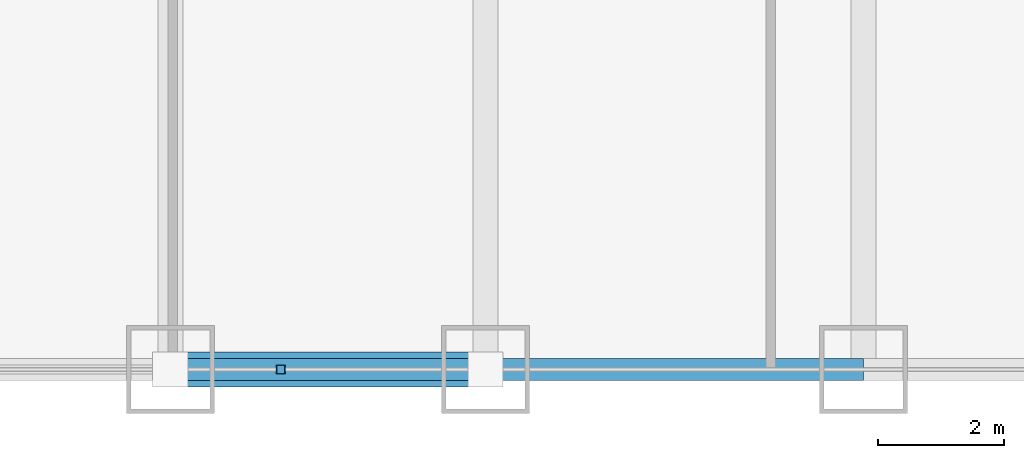
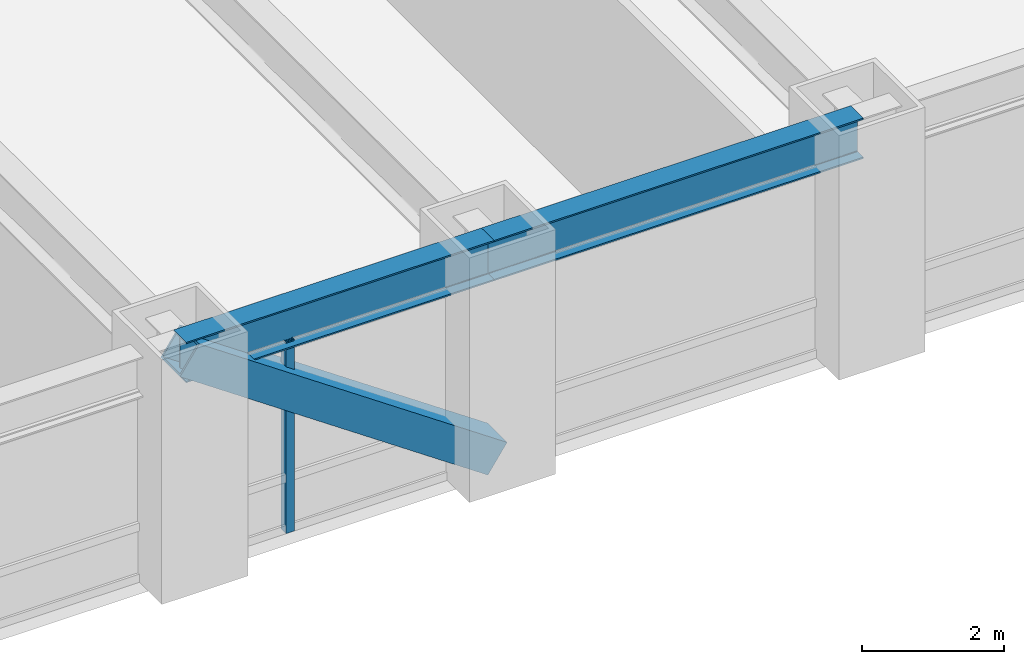
# One storey, part 4 of 27: 2 beams, 2 members, 1 element without a shape of its own.
"""IFC4 building model written with IfcOpenShell, lengths in metres."""

from ifc_helpers import new_model, si_unit, direction, frame, origin, origin_2d, place, context, subcontext, project, spatial, hollow_rectangle, i_section, extrude, source, transform, mapped, material, material_profile, profile_set, type_object, element, aggregate, save


model = new_model("IFC4")

# Units and contexts
model_context = context("Model", 3, precision=1e-05, world=origin(), true_north=direction((0.0, 1.0)))
body_context = subcontext(model_context, "Body", "Model", "MODEL_VIEW")
ifc_project = project(units=[si_unit("LENGTHUNIT", "METRE"), si_unit("AREAUNIT", "SQUARE_METRE"), si_unit("VOLUMEUNIT", "CUBIC_METRE"), si_unit("PLANEANGLEUNIT", "RADIAN"), si_unit("MASSUNIT", "GRAM", prefix="KILO")], contexts=[model_context])

# Site, building, storey
site_placement = place(None, origin())
site = spatial("IfcSite", under=ifc_project, at=site_placement, CompositionType="ELEMENT")
building_placement = place(site_placement, origin())
building = spatial("IfcBuilding", under=site, at=building_placement, Name="Khorayat Bourse Tower", CompositionType="ELEMENT")
storey_placement = place(building_placement, frame((0.0, 0.0, 45.199951171875)))
storey = spatial("IfcBuildingStorey", under=building, at=storey_placement, Name="L09", CompositionType="ELEMENT", Elevation=45.199951171875)

# Beams
ifc_material_1 = material(Name="Steel ASTM A992 Grade 50", Category="steel")
ifc_material_profile_1 = material_profile(ifc_material_1, i_section(OverallWidth=0.35498046875, OverallDepth=0.695068359375, WebThickness=0.015380859375, FlangeThickness=0.02490234375, FilletRadius=0.01806640625, at=origin_2d()), Name="W690X217")
ifc_profile_set_1 = profile_set([ifc_material_profile_1], Name="Steel ASTM A992 Grade 50")
beam_type = type_object("IfcBeamType", Name="BM-SPAN-690", PredefinedType="SPANDREL", material=ifc_profile_set_1)
shared_shape_1 = source(origin(), body_context, "Body", "SweptSolid", [
    extrude(i_section(OverallWidth=0.35498046875, OverallDepth=0.695068359375, WebThickness=0.015380859375, FlangeThickness=0.02490234375, FilletRadius=0.01806640625, at=origin_2d()), origin(), (0.0, 0.0, 1.0), 5.0),
])
beam_1_placement = place(storey_placement, frame((-11.0, -32.0, 3.592529296875), z_axis=(1.0, 0.0, 0.0), x_axis=(0.0, 1.0, 0.0)))
element("IfcBeam", 1, at=beam_1_placement, inside=storey, type_object=beam_type, Name="L09 BM-SPAN-690 BM-L09-SPN-026", PredefinedType="SPANDREL", context=body_context, shape_type="MappedRepresentation", body=[
    mapped(shared_shape_1, transform((0.0, 0.0, 0.0), scale=1.0)),
])
shared_shape_2 = source(origin(), body_context, "Body", "SweptSolid", [
    extrude(i_section(OverallWidth=0.35498046875, OverallDepth=0.695068359375, WebThickness=0.015380859375, FlangeThickness=0.02490234375, FilletRadius=0.01806640625, at=origin_2d()), origin(), (0.0, 0.0, 1.0), 6.0),
])
beam_2_placement = place(storey_placement, frame((-6.0, -32.0, 3.592529296875), z_axis=(1.0, 0.0, 0.0), x_axis=(0.0, 1.0, 0.0)))
element("IfcBeam", 2, at=beam_2_placement, inside=storey, type_object=beam_type, Name="L09 BM-SPAN-690 BM-L09-SPN-027", PredefinedType="SPANDREL", context=body_context, shape_type="MappedRepresentation", body=[
    mapped(shared_shape_2, transform((0.0, 0.0, 0.0), scale=1.0)),
])

# Member
ifc_material_2 = material(Name="Steel EN 10025-4 S460M", Category="steel")
ifc_material_profile_2 = material_profile(ifc_material_2, hollow_rectangle(XDim=0.550048828125, YDim=0.550048828125, WallThickness=0.031982421875, at=origin_2d()), Name="HSS 550x550x32")
ifc_profile_set_2 = profile_set([ifc_material_profile_2], Name="Steel EN 10025-4 S460M")
member_type_1 = type_object("IfcMemberType", Name="MBR-TUBE-550", PredefinedType="BRACE", material=ifc_profile_set_2)
shared_shape_3 = source(origin(), body_context, "Body", "SweptSolid", [
    extrude(hollow_rectangle(XDim=0.550048828125, YDim=0.550048828125, WallThickness=0.031982421875, at=origin_2d()), origin(), (0.0, 0.0, 1.0), 6.069091796875),
])
member_1_placement = place(storey_placement, frame((-11.0, -32.0, 3.68994140625), z_axis=(0.823854080622, 0.0, -0.566801952928), x_axis=(0.0, 1.0, 0.0)))
element("IfcMember", 3, at=member_1_placement, inside=storey, type_object=member_type_1, Name="L09 Perimeter Tube Brace 01", PredefinedType="BRACE", context=body_context, shape_type="MappedRepresentation", body=[
    mapped(shared_shape_3, transform((0.0, 0.0, 0.0), scale=1.0)),
])

# Curtain wall, member
ifc_material_3 = material(Name="Aluminium EN AW-6063 T6", Category="aluminium")
curtain_wall_type = type_object("IfcCurtainWallType", Name="CW-SYS-02", PredefinedType="NOTDEFINED", material=ifc_material_3)
curtain_wall_placement = place(storey_placement, origin())
curtain_wall = element("IfcCurtainWall", 4, at=curtain_wall_placement, inside=storey, type_object=curtain_wall_type, Name="L09 Curtain Wall CW-L09-S1", PredefinedType="NOTDEFINED")
ifc_material_profile_3 = material_profile(ifc_material_3, hollow_rectangle(XDim=0.139892578125, YDim=0.139892578125, WallThickness=0.006103515625, at=origin_2d()), Name="ALU 140x140x6")
ifc_profile_set_3 = profile_set([ifc_material_profile_3], Name="Aluminium EN AW-6063 T6")
member_type_2 = type_object("IfcMemberType", Name="CWM-VERT-140", PredefinedType="MULLION", material=ifc_profile_set_3)
shared_shape_4 = source(origin(), body_context, "Body", "SweptSolid", [
    extrude(hollow_rectangle(XDim=0.139892578125, YDim=0.139892578125, WallThickness=0.006103515625, at=origin_2d()), origin(), (0.0, 0.0, 1.0), 3.2900390625),
])
member_2_placement = place(storey_placement, frame((-9.25, -32.0, 0.0), z_axis=(0.0, 0.0, 1.0), x_axis=(0.0, 1.0, 0.0)))
member_2 = element("IfcMember", 5, at=member_2_placement, type_object=member_type_2, Name="CW-L09-S1 Vertical Mullion 2", PredefinedType="MULLION", context=body_context, shape_type="MappedRepresentation", body=[
    mapped(shared_shape_4, transform((0.0, 0.0, 0.0), scale=1.0)),
])
aggregate(curtain_wall, [member_2])

save(model, "model.ifc")
